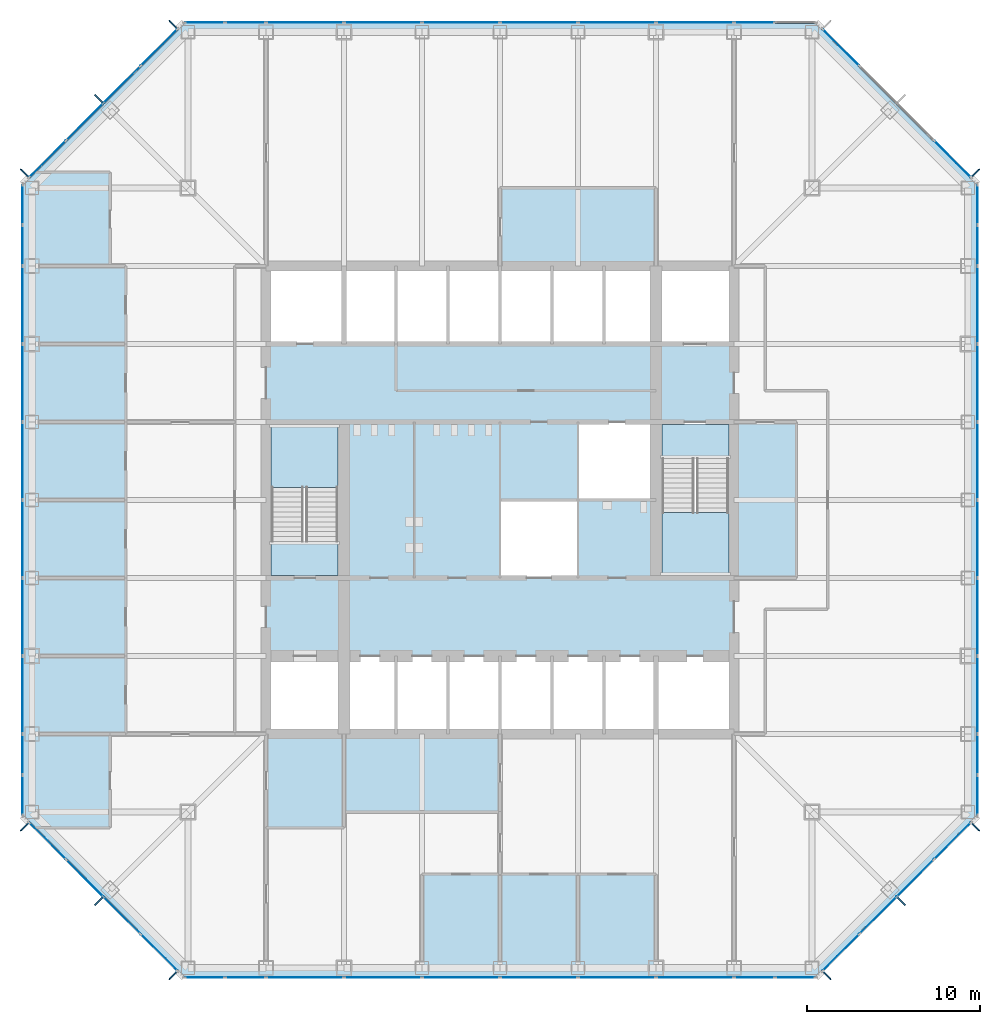
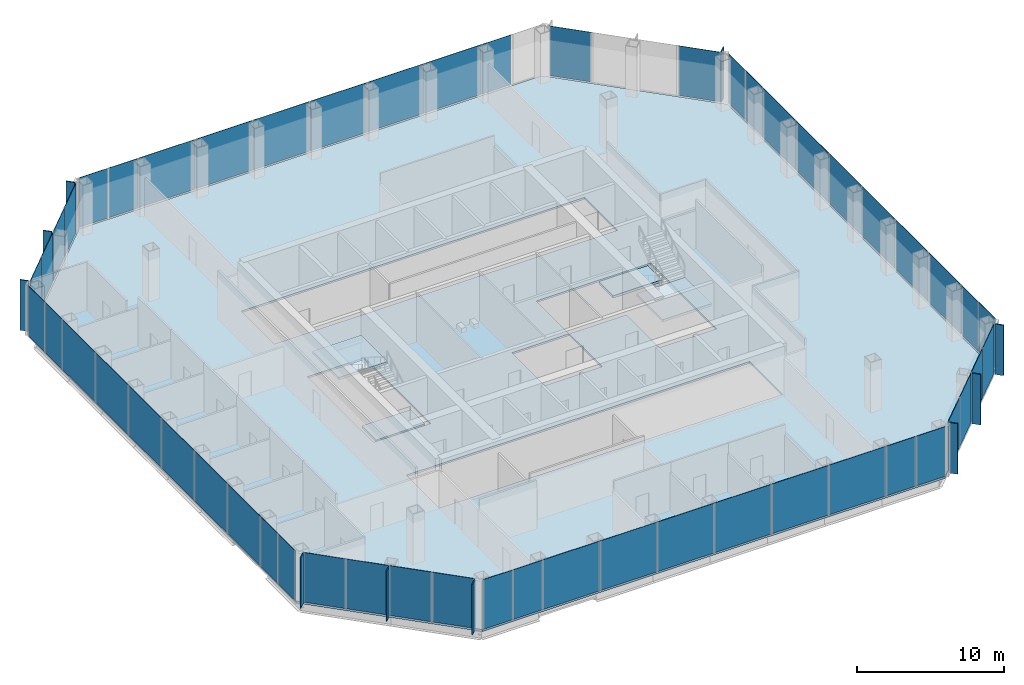
# One storey, part 7 of 12: 63 plates, 5 slabs, 10 elements without a shape of their own.
"""IFC4 building model written with IfcOpenShell, lengths in metres."""

from ifc_helpers import new_model, si_unit, direction, frame, origin, origin_2d, place, context, subcontext, project, spatial, polyline, rectangle, outline, extrude, material, layer, layer_set, type_object, element, aggregate, save


model = new_model("IFC4")

# Units and contexts
model_context = context("Model", 3, precision=1e-05, world=origin(), true_north=direction((0.0, 1.0)))
body_context = subcontext(model_context, "Body", "Model", "MODEL_VIEW")
ifc_project = project(units=[si_unit("LENGTHUNIT", "METRE"), si_unit("AREAUNIT", "SQUARE_METRE"), si_unit("VOLUMEUNIT", "CUBIC_METRE"), si_unit("PLANEANGLEUNIT", "RADIAN"), si_unit("MASSUNIT", "GRAM", prefix="KILO")], contexts=[model_context])

# Site, building, storey
site_placement = place(None, origin())
site = spatial("IfcSite", under=ifc_project, at=site_placement, CompositionType="ELEMENT")
building_placement = place(site_placement, origin())
building = spatial("IfcBuilding", under=site, at=building_placement, Name="Corais Broadcast Tower", CompositionType="ELEMENT")
storey_placement = place(building_placement, frame((0.0, 0.0, 92.0)))
storey = spatial("IfcBuildingStorey", under=building, at=storey_placement, Name="L20", CompositionType="ELEMENT", Elevation=92.0)

# Slab
ifc_material_1 = material(Name="Concrete C30/37", Category="concrete")
ifc_layer_1 = layer(ifc_material_1, 0.159912109375)
ifc_layer_set_1 = layer_set([ifc_layer_1], Name="Concrete C30/37")
slab_type_1 = type_object("IfcSlabType", Name="Composite floor slab 160", PredefinedType="FLOOR", material=ifc_layer_set_1)
slab_1_placement = place(storey_placement, frame((0.0, 0.0, -0.159912109375)))
element("IfcSlab", 1, at=slab_1_placement, inside=storey, type_object=slab_type_1, Name="S160 floor slab L20", PredefinedType="FLOOR", context=body_context, shape_type="SweptSolid", body=[
    extrude(outline(polyline([(8.80126953125, -0.47998046875), (-0.47998046875, 8.80126953125), (-0.47998046875, 45.19873046875), (8.80126953125, 54.47998046875), (45.19873046875, 54.47998046875), (54.47998046875, 45.19873046875), (54.47998046875, 8.80126953125), (45.19873046875, -0.47998046875), (8.80126953125, -0.47998046875)]), holes=[polyline([(13.5, 18.0), (40.5, 18.0), (40.5, 13.5), (13.5, 13.5), (13.5, 18.0)]), polyline([(13.5, 22.5), (13.5, 31.5), (18.0, 31.5), (18.0, 22.5), (13.5, 22.5)]), polyline([(13.5, 40.5), (40.5, 40.5), (40.5, 36.0), (13.5, 36.0), (13.5, 40.5)]), polyline([(27.0, 22.5), (27.0, 27.0), (31.4951171875, 27.0), (31.4951171875, 27.0048828125), (31.5, 27.0048828125), (31.5, 31.5), (40.5, 31.5), (40.5, 22.5), (36.0, 22.5), (36.0, 27.0), (31.5048828125, 27.0), (31.5048828125, 26.9951171875), (31.5, 26.9951171875), (31.5, 22.5), (27.0, 22.5)])]), origin(), (0.0, 0.0, 1.0), 0.159912109375),
])

# Curtain wall, plates
ifc_material_2 = material(Name="Aluminium and glass", Category="aluminium")
curtain_wall_type = type_object("IfcCurtainWallType", Name="Unitised fritted curtain wall CW1", PredefinedType="NOTDEFINED", material=ifc_material_2)
curtain_wall_1_placement = place(storey_placement, origin())
curtain_wall_1 = element("IfcCurtainWall", 2, at=curtain_wall_1_placement, inside=storey, type_object=curtain_wall_type, Name="CW1 curtain wall L20 1", PredefinedType="NOTDEFINED")
ifc_material_3 = material(Name="Ceramic-fritted laminated glass", Category="glass")
ifc_layer_2 = layer(ifc_material_3, 0.030029296875)
ifc_layer_set_2 = layer_set([ifc_layer_2], Name="Ceramic-fritted laminated glass")
plate_type_1 = type_object("IfcPlateType", Name="Fritted glass panel CW1", PredefinedType="CURTAIN_PANEL", material=ifc_layer_set_2)
plate_1_placement = place(storey_placement, frame((7.330322265625, 0.891845703125, 0.06494140625), z_axis=(0.0, 0.0, 1.0), x_axis=(-0.707106781187, 0.707106781187, 0.0)))
plate_1 = element("IfcPlate", 3, at=plate_1_placement, type_object=plate_type_1, Name="CW1 panel 1", PredefinedType="CURTAIN_PANEL", context=body_context, shape_type="SweptSolid", body=[
    extrude(rectangle(XDim=2.9482421875, YDim=0.030029296875, at=origin_2d()), origin(), (0.0, 0.0, 1.0), 4.135009765625),
])
plate_2_placement = place(storey_placement, frame((3.0341796875, 5.18798828125, 0.06494140625), z_axis=(0.0, 0.0, 1.0), x_axis=(-0.707106781187, 0.707106781187, 0.0)))
plate_2 = element("IfcPlate", 4, at=plate_2_placement, type_object=plate_type_1, Name="CW1 panel 3", PredefinedType="CURTAIN_PANEL", context=body_context, shape_type="SweptSolid", body=[
    extrude(rectangle(XDim=2.98095703125, YDim=0.030029296875, at=origin_2d()), origin(), (0.0, 0.0, 1.0), 4.135009765625),
])

curtain_wall_2_placement = place(storey_placement, origin())
curtain_wall_2 = element("IfcCurtainWall", 5, at=curtain_wall_2_placement, inside=storey, type_object=curtain_wall_type, Name="CW1 curtain wall L20 2", PredefinedType="NOTDEFINED")
plate_3_placement = place(storey_placement, frame((-0.550048828125, 9.970458984375, 0.06494140625), z_axis=(0.0, 0.0, 1.0), x_axis=(0.0, 1.0, 0.0)))
plate_3 = element("IfcPlate", 6, at=plate_3_placement, type_object=plate_type_1, Name="CW1 panel 1", PredefinedType="CURTAIN_PANEL", context=body_context, shape_type="SweptSolid", body=[
    extrude(rectangle(XDim=2.266357421875, YDim=0.030029296875, at=origin_2d()), origin(), (0.0, 0.0, 1.0), 4.135009765625),
])
plate_4_placement = place(storey_placement, frame((-0.550048828125, 15.75, 0.06494140625), z_axis=(0.0, 0.0, 1.0), x_axis=(0.0, 1.0, 0.0)))
plate_4 = element("IfcPlate", 7, at=plate_4_placement, type_object=plate_type_1, Name="CW1 panel 3", PredefinedType="CURTAIN_PANEL", context=body_context, shape_type="SweptSolid", body=[
    extrude(rectangle(XDim=4.43505859375, YDim=0.030029296875, at=origin_2d()), origin(), (0.0, 0.0, 1.0), 4.135009765625),
])
plate_5_placement = place(storey_placement, frame((-0.550048828125, 24.75, 0.06494140625), z_axis=(0.0, 0.0, 1.0), x_axis=(0.0, 1.0, 0.0)))
plate_5 = element("IfcPlate", 8, at=plate_5_placement, type_object=plate_type_1, Name="CW1 panel 5", PredefinedType="CURTAIN_PANEL", context=body_context, shape_type="SweptSolid", body=[
    extrude(rectangle(XDim=4.43505859375, YDim=0.030029296875, at=origin_2d()), origin(), (0.0, 0.0, 1.0), 4.135009765625),
])
plate_6_placement = place(storey_placement, frame((-0.550048828125, 33.75, 0.06494140625), z_axis=(0.0, 0.0, 1.0), x_axis=(0.0, 1.0, 0.0)))
plate_6 = element("IfcPlate", 9, at=plate_6_placement, type_object=plate_type_1, Name="CW1 panel 7", PredefinedType="CURTAIN_PANEL", context=body_context, shape_type="SweptSolid", body=[
    extrude(rectangle(XDim=4.43505859375, YDim=0.030029296875, at=origin_2d()), origin(), (0.0, 0.0, 1.0), 4.135009765625),
])
plate_7_placement = place(storey_placement, frame((-0.550048828125, 41.681884765625, 0.06494140625), z_axis=(0.0, 0.0, 1.0), x_axis=(0.0, 1.0, 0.0)))
plate_7 = element("IfcPlate", 10, at=plate_7_placement, type_object=plate_type_1, Name="CW1 panel 9", PredefinedType="CURTAIN_PANEL", context=body_context, shape_type="SweptSolid", body=[
    extrude(rectangle(XDim=2.298828125, YDim=0.030029296875, at=origin_2d()), origin(), (0.0, 0.0, 1.0), 4.135009765625),
])

curtain_wall_3_placement = place(storey_placement, origin())
curtain_wall_3 = element("IfcCurtainWall", 11, at=curtain_wall_3_placement, inside=storey, type_object=curtain_wall_type, Name="CW1 curtain wall L20 3", PredefinedType="NOTDEFINED")
plate_8_placement = place(storey_placement, frame((0.891845703125, 46.669677734375, 0.06494140625), z_axis=(0.0, 0.0, 1.0), x_axis=(0.707106781187, 0.707106781187, 0.0)))
plate_8 = element("IfcPlate", 12, at=plate_8_placement, type_object=plate_type_1, Name="CW1 panel 1", PredefinedType="CURTAIN_PANEL", context=body_context, shape_type="SweptSolid", body=[
    extrude(rectangle(XDim=2.9482421875, YDim=0.030029296875, at=origin_2d()), origin(), (0.0, 0.0, 1.0), 4.135009765625),
])
plate_9_placement = place(storey_placement, frame((5.18798828125, 50.9658203125, 0.06494140625), z_axis=(0.0, 0.0, 1.0), x_axis=(0.707106781187, 0.707106781187, 0.0)))
plate_9 = element("IfcPlate", 13, at=plate_9_placement, type_object=plate_type_1, Name="CW1 panel 3", PredefinedType="CURTAIN_PANEL", context=body_context, shape_type="SweptSolid", body=[
    extrude(rectangle(XDim=2.98095703125, YDim=0.030029296875, at=origin_2d()), origin(), (0.0, 0.0, 1.0), 4.135009765625),
])

curtain_wall_4_placement = place(storey_placement, origin())
curtain_wall_4 = element("IfcCurtainWall", 14, at=curtain_wall_4_placement, inside=storey, type_object=curtain_wall_type, Name="CW1 curtain wall L20 4", PredefinedType="NOTDEFINED")
plate_10_placement = place(storey_placement, frame((9.970458984375, 54.550048828125, 0.06494140625), z_axis=(0.0, 0.0, 1.0), x_axis=(1.0, 0.0, 0.0)))
plate_10 = element("IfcPlate", 15, at=plate_10_placement, type_object=plate_type_1, Name="CW1 panel 1", PredefinedType="CURTAIN_PANEL", context=body_context, shape_type="SweptSolid", body=[
    extrude(rectangle(XDim=2.266357421875, YDim=0.030029296875, at=origin_2d()), origin(), (0.0, 0.0, 1.0), 4.135009765625),
])
plate_11_placement = place(storey_placement, frame((15.75, 54.550048828125, 0.06494140625), z_axis=(0.0, 0.0, 1.0), x_axis=(1.0, 0.0, 0.0)))
plate_11 = element("IfcPlate", 16, at=plate_11_placement, type_object=plate_type_1, Name="CW1 panel 3", PredefinedType="CURTAIN_PANEL", context=body_context, shape_type="SweptSolid", body=[
    extrude(rectangle(XDim=4.43505859375, YDim=0.030029296875, at=origin_2d()), origin(), (0.0, 0.0, 1.0), 4.135009765625),
])
plate_12_placement = place(storey_placement, frame((24.75, 54.550048828125, 0.06494140625), z_axis=(0.0, 0.0, 1.0), x_axis=(1.0, 0.0, 0.0)))
plate_12 = element("IfcPlate", 17, at=plate_12_placement, type_object=plate_type_1, Name="CW1 panel 5", PredefinedType="CURTAIN_PANEL", context=body_context, shape_type="SweptSolid", body=[
    extrude(rectangle(XDim=4.43505859375, YDim=0.030029296875, at=origin_2d()), origin(), (0.0, 0.0, 1.0), 4.135009765625),
])
plate_13_placement = place(storey_placement, frame((33.75, 54.550048828125, 0.06494140625), z_axis=(0.0, 0.0, 1.0), x_axis=(1.0, 0.0, 0.0)))
plate_13 = element("IfcPlate", 18, at=plate_13_placement, type_object=plate_type_1, Name="CW1 panel 7", PredefinedType="CURTAIN_PANEL", context=body_context, shape_type="SweptSolid", body=[
    extrude(rectangle(XDim=4.43505859375, YDim=0.030029296875, at=origin_2d()), origin(), (0.0, 0.0, 1.0), 4.135009765625),
])
plate_14_placement = place(storey_placement, frame((41.681884765625, 54.550048828125, 0.06494140625), z_axis=(0.0, 0.0, 1.0), x_axis=(1.0, 0.0, 0.0)))
plate_14 = element("IfcPlate", 19, at=plate_14_placement, type_object=plate_type_1, Name="CW1 panel 9", PredefinedType="CURTAIN_PANEL", context=body_context, shape_type="SweptSolid", body=[
    extrude(rectangle(XDim=2.298828125, YDim=0.030029296875, at=origin_2d()), origin(), (0.0, 0.0, 1.0), 4.135009765625),
])

# Curtain wall, plate
curtain_wall_5_placement = place(storey_placement, origin())
curtain_wall_5 = element("IfcCurtainWall", 20, at=curtain_wall_5_placement, inside=storey, type_object=curtain_wall_type, Name="CW1 curtain wall L20 5", PredefinedType="NOTDEFINED")
plate_15_placement = place(storey_placement, frame((46.669677734375, 53.108154296875, 0.06494140625), z_axis=(0.0, 0.0, 1.0), x_axis=(0.707106781187, -0.707106781187, 0.0)))
plate_15 = element("IfcPlate", 21, at=plate_15_placement, type_object=plate_type_1, Name="CW1 panel 1", PredefinedType="CURTAIN_PANEL", context=body_context, shape_type="SweptSolid", body=[
    extrude(rectangle(XDim=2.9482421875, YDim=0.030029296875, at=origin_2d()), origin(), (0.0, 0.0, 1.0), 4.135009765625),
])

# Curtain wall, plates
curtain_wall_6_placement = place(storey_placement, origin())
curtain_wall_6 = element("IfcCurtainWall", 22, at=curtain_wall_6_placement, inside=storey, type_object=curtain_wall_type, Name="CW1 curtain wall L20 6", PredefinedType="NOTDEFINED")
plate_16_placement = place(storey_placement, frame((54.550048828125, 44.029541015625, 0.06494140625), z_axis=(0.0, 0.0, 1.0), x_axis=(0.0, -1.0, 0.0)))
plate_16 = element("IfcPlate", 23, at=plate_16_placement, type_object=plate_type_1, Name="CW1 panel 1", PredefinedType="CURTAIN_PANEL", context=body_context, shape_type="SweptSolid", body=[
    extrude(rectangle(XDim=2.266357421875, YDim=0.030029296875, at=origin_2d()), origin(), (0.0, 0.0, 1.0), 4.135009765625),
])
plate_17_placement = place(storey_placement, frame((54.550048828125, 38.25, 0.06494140625), z_axis=(0.0, 0.0, 1.0), x_axis=(0.0, -1.0, 0.0)))
plate_17 = element("IfcPlate", 24, at=plate_17_placement, type_object=plate_type_1, Name="CW1 panel 3", PredefinedType="CURTAIN_PANEL", context=body_context, shape_type="SweptSolid", body=[
    extrude(rectangle(XDim=4.43505859375, YDim=0.030029296875, at=origin_2d()), origin(), (0.0, 0.0, 1.0), 4.135009765625),
])
plate_18_placement = place(storey_placement, frame((54.550048828125, 29.25, 0.06494140625), z_axis=(0.0, 0.0, 1.0), x_axis=(0.0, -1.0, 0.0)))
plate_18 = element("IfcPlate", 25, at=plate_18_placement, type_object=plate_type_1, Name="CW1 panel 5", PredefinedType="CURTAIN_PANEL", context=body_context, shape_type="SweptSolid", body=[
    extrude(rectangle(XDim=4.43505859375, YDim=0.030029296875, at=origin_2d()), origin(), (0.0, 0.0, 1.0), 4.135009765625),
])
plate_19_placement = place(storey_placement, frame((54.550048828125, 20.25, 0.06494140625), z_axis=(0.0, 0.0, 1.0), x_axis=(0.0, -1.0, 0.0)))
plate_19 = element("IfcPlate", 26, at=plate_19_placement, type_object=plate_type_1, Name="CW1 panel 7", PredefinedType="CURTAIN_PANEL", context=body_context, shape_type="SweptSolid", body=[
    extrude(rectangle(XDim=4.43505859375, YDim=0.030029296875, at=origin_2d()), origin(), (0.0, 0.0, 1.0), 4.135009765625),
])
plate_20_placement = place(storey_placement, frame((54.550048828125, 12.318115234375, 0.06494140625), z_axis=(0.0, 0.0, 1.0), x_axis=(0.0, -1.0, 0.0)))
plate_20 = element("IfcPlate", 27, at=plate_20_placement, type_object=plate_type_1, Name="CW1 panel 9", PredefinedType="CURTAIN_PANEL", context=body_context, shape_type="SweptSolid", body=[
    extrude(rectangle(XDim=2.298828125, YDim=0.030029296875, at=origin_2d()), origin(), (0.0, 0.0, 1.0), 4.135009765625),
])

curtain_wall_7_placement = place(storey_placement, origin())
curtain_wall_7 = element("IfcCurtainWall", 28, at=curtain_wall_7_placement, inside=storey, type_object=curtain_wall_type, Name="CW1 curtain wall L20 7", PredefinedType="NOTDEFINED")
plate_21_placement = place(storey_placement, frame((53.108154296875, 7.330322265625, 0.06494140625), z_axis=(0.0, 0.0, 1.0), x_axis=(-0.707106781187, -0.707106781187, 0.0)))
plate_21 = element("IfcPlate", 29, at=plate_21_placement, type_object=plate_type_1, Name="CW1 panel 1", PredefinedType="CURTAIN_PANEL", context=body_context, shape_type="SweptSolid", body=[
    extrude(rectangle(XDim=2.9482421875, YDim=0.030029296875, at=origin_2d()), origin(), (0.0, 0.0, 1.0), 4.135009765625),
])
plate_22_placement = place(storey_placement, frame((48.81201171875, 3.0341796875, 0.06494140625), z_axis=(0.0, 0.0, 1.0), x_axis=(-0.707106781187, -0.707106781187, 0.0)))
plate_22 = element("IfcPlate", 30, at=plate_22_placement, type_object=plate_type_1, Name="CW1 panel 3", PredefinedType="CURTAIN_PANEL", context=body_context, shape_type="SweptSolid", body=[
    extrude(rectangle(XDim=2.98095703125, YDim=0.030029296875, at=origin_2d()), origin(), (0.0, 0.0, 1.0), 4.135009765625),
])

curtain_wall_8_placement = place(storey_placement, origin())
curtain_wall_8 = element("IfcCurtainWall", 31, at=curtain_wall_8_placement, inside=storey, type_object=curtain_wall_type, Name="CW1 curtain wall L20 8", PredefinedType="NOTDEFINED")
plate_23_placement = place(storey_placement, frame((44.029541015625, -0.550048828125, 0.06494140625), z_axis=(0.0, 0.0, 1.0), x_axis=(-1.0, 0.0, 0.0)))
plate_23 = element("IfcPlate", 32, at=plate_23_placement, type_object=plate_type_1, Name="CW1 panel 1", PredefinedType="CURTAIN_PANEL", context=body_context, shape_type="SweptSolid", body=[
    extrude(rectangle(XDim=2.266357421875, YDim=0.030029296875, at=origin_2d()), origin(), (0.0, 0.0, 1.0), 4.135009765625),
])
plate_24_placement = place(storey_placement, frame((38.25, -0.550048828125, 0.06494140625), z_axis=(0.0, 0.0, 1.0), x_axis=(-1.0, 0.0, 0.0)))
plate_24 = element("IfcPlate", 33, at=plate_24_placement, type_object=plate_type_1, Name="CW1 panel 3", PredefinedType="CURTAIN_PANEL", context=body_context, shape_type="SweptSolid", body=[
    extrude(rectangle(XDim=4.43505859375, YDim=0.030029296875, at=origin_2d()), origin(), (0.0, 0.0, 1.0), 4.135009765625),
])
plate_25_placement = place(storey_placement, frame((29.25, -0.550048828125, 0.06494140625), z_axis=(0.0, 0.0, 1.0), x_axis=(-1.0, 0.0, 0.0)))
plate_25 = element("IfcPlate", 34, at=plate_25_placement, type_object=plate_type_1, Name="CW1 panel 5", PredefinedType="CURTAIN_PANEL", context=body_context, shape_type="SweptSolid", body=[
    extrude(rectangle(XDim=4.43505859375, YDim=0.030029296875, at=origin_2d()), origin(), (0.0, 0.0, 1.0), 4.135009765625),
])
plate_26_placement = place(storey_placement, frame((20.25, -0.550048828125, 0.06494140625), z_axis=(0.0, 0.0, 1.0), x_axis=(-1.0, 0.0, 0.0)))
plate_26 = element("IfcPlate", 35, at=plate_26_placement, type_object=plate_type_1, Name="CW1 panel 7", PredefinedType="CURTAIN_PANEL", context=body_context, shape_type="SweptSolid", body=[
    extrude(rectangle(XDim=4.43505859375, YDim=0.030029296875, at=origin_2d()), origin(), (0.0, 0.0, 1.0), 4.135009765625),
])
plate_27_placement = place(storey_placement, frame((12.318115234375, -0.550048828125, 0.06494140625), z_axis=(0.0, 0.0, 1.0), x_axis=(-1.0, 0.0, 0.0)))
plate_27 = element("IfcPlate", 36, at=plate_27_placement, type_object=plate_type_1, Name="CW1 panel 9", PredefinedType="CURTAIN_PANEL", context=body_context, shape_type="SweptSolid", body=[
    extrude(rectangle(XDim=2.298828125, YDim=0.030029296875, at=origin_2d()), origin(), (0.0, 0.0, 1.0), 4.135009765625),
])

# Plate
ifc_material_4 = material(Name="Clear laminated glass", Category="glass")
ifc_layer_3 = layer(ifc_material_4, 0.033935546875)
ifc_layer_set_3 = layer_set([ifc_layer_3], Name="Clear laminated glass")
plate_type_2 = type_object("IfcPlateType", Name="Operable glass panel CW1", PredefinedType="CURTAIN_PANEL", material=ifc_layer_set_3)
plate_28_placement = place(storey_placement, frame((5.18798828125, 3.0341796875, 0.06494140625), z_axis=(0.0, 0.0, 1.0), x_axis=(-0.707106781187, 0.707106781187, 0.0)))
plate_28 = element("IfcPlate", 37, at=plate_28_placement, type_object=plate_type_2, Name="CW1 operable panel 2", PredefinedType="CURTAIN_PANEL", context=body_context, shape_type="SweptSolid", body=[
    extrude(rectangle(XDim=2.98095703125, YDim=0.033935546875, at=origin_2d()), origin(), (0.0, 0.0, 1.0), 4.135009765625),
])

plate_29_placement = place(storey_placement, frame((0.89208984375, 7.330322265625, 0.06494140625), z_axis=(0.0, 0.0, 1.0), x_axis=(-0.707106781187, 0.707106781187, 0.0)))
plate_29 = element("IfcPlate", 38, at=plate_29_placement, type_object=plate_type_2, Name="CW1 operable panel 4", PredefinedType="CURTAIN_PANEL", context=body_context, shape_type="SweptSolid", body=[
    extrude(rectangle(XDim=2.948486328125, YDim=0.033935546875, at=origin_2d()), origin(), (0.0, 0.0, 1.0), 4.135009765625),
])

aggregate(curtain_wall_1, [plate_1, plate_28, plate_2, plate_29])

plate_30_placement = place(storey_placement, frame((-0.550048828125, 12.318115234375, 0.06494140625), z_axis=(0.0, 0.0, 1.0), x_axis=(0.0, 1.0, 0.0)))
plate_30 = element("IfcPlate", 39, at=plate_30_placement, type_object=plate_type_2, Name="CW1 operable panel 2", PredefinedType="CURTAIN_PANEL", context=body_context, shape_type="SweptSolid", body=[
    extrude(rectangle(XDim=2.298828125, YDim=0.033935546875, at=origin_2d()), origin(), (0.0, 0.0, 1.0), 4.135009765625),
])

plate_31_placement = place(storey_placement, frame((-0.550048828125, 20.25, 0.06494140625), z_axis=(0.0, 0.0, 1.0), x_axis=(0.0, 1.0, 0.0)))
plate_31 = element("IfcPlate", 40, at=plate_31_placement, type_object=plate_type_2, Name="CW1 operable panel 4", PredefinedType="CURTAIN_PANEL", context=body_context, shape_type="SweptSolid", body=[
    extrude(rectangle(XDim=4.43505859375, YDim=0.033935546875, at=origin_2d()), origin(), (0.0, 0.0, 1.0), 4.135009765625),
])

plate_32_placement = place(storey_placement, frame((-0.550048828125, 29.25, 0.06494140625), z_axis=(0.0, 0.0, 1.0), x_axis=(0.0, 1.0, 0.0)))
plate_32 = element("IfcPlate", 41, at=plate_32_placement, type_object=plate_type_2, Name="CW1 operable panel 6", PredefinedType="CURTAIN_PANEL", context=body_context, shape_type="SweptSolid", body=[
    extrude(rectangle(XDim=4.43505859375, YDim=0.033935546875, at=origin_2d()), origin(), (0.0, 0.0, 1.0), 4.135009765625),
])

plate_33_placement = place(storey_placement, frame((-0.550048828125, 38.25, 0.06494140625), z_axis=(0.0, 0.0, 1.0), x_axis=(0.0, 1.0, 0.0)))
plate_33 = element("IfcPlate", 42, at=plate_33_placement, type_object=plate_type_2, Name="CW1 operable panel 8", PredefinedType="CURTAIN_PANEL", context=body_context, shape_type="SweptSolid", body=[
    extrude(rectangle(XDim=4.43505859375, YDim=0.033935546875, at=origin_2d()), origin(), (0.0, 0.0, 1.0), 4.135009765625),
])

plate_34_placement = place(storey_placement, frame((-0.550048828125, 44.029541015625, 0.06494140625), z_axis=(0.0, 0.0, 1.0), x_axis=(0.0, 1.0, 0.0)))
plate_34 = element("IfcPlate", 43, at=plate_34_placement, type_object=plate_type_2, Name="CW1 operable panel 10", PredefinedType="CURTAIN_PANEL", context=body_context, shape_type="SweptSolid", body=[
    extrude(rectangle(XDim=2.266357421875, YDim=0.033935546875, at=origin_2d()), origin(), (0.0, 0.0, 1.0), 4.135009765625),
])

aggregate(curtain_wall_2, [plate_3, plate_30, plate_4, plate_31, plate_5, plate_32, plate_6, plate_33, plate_7, plate_34])

plate_35_placement = place(storey_placement, frame((3.0341796875, 48.81201171875, 0.06494140625), z_axis=(0.0, 0.0, 1.0), x_axis=(0.707106781187, 0.707106781187, 0.0)))
plate_35 = element("IfcPlate", 44, at=plate_35_placement, type_object=plate_type_2, Name="CW1 operable panel 2", PredefinedType="CURTAIN_PANEL", context=body_context, shape_type="SweptSolid", body=[
    extrude(rectangle(XDim=2.98095703125, YDim=0.033935546875, at=origin_2d()), origin(), (0.0, 0.0, 1.0), 4.135009765625),
])

plate_36_placement = place(storey_placement, frame((7.330322265625, 53.10791015625, 0.06494140625), z_axis=(0.0, 0.0, 1.0), x_axis=(0.707106781187, 0.707106781187, 0.0)))
plate_36 = element("IfcPlate", 45, at=plate_36_placement, type_object=plate_type_2, Name="CW1 operable panel 4", PredefinedType="CURTAIN_PANEL", context=body_context, shape_type="SweptSolid", body=[
    extrude(rectangle(XDim=2.948486328125, YDim=0.033935546875, at=origin_2d()), origin(), (0.0, 0.0, 1.0), 4.135009765625),
])

aggregate(curtain_wall_3, [plate_8, plate_35, plate_9, plate_36])

plate_37_placement = place(storey_placement, frame((12.318115234375, 54.550048828125, 0.06494140625), z_axis=(0.0, 0.0, 1.0), x_axis=(1.0, 0.0, 0.0)))
plate_37 = element("IfcPlate", 46, at=plate_37_placement, type_object=plate_type_2, Name="CW1 operable panel 2", PredefinedType="CURTAIN_PANEL", context=body_context, shape_type="SweptSolid", body=[
    extrude(rectangle(XDim=2.298828125, YDim=0.033935546875, at=origin_2d()), origin(), (0.0, 0.0, 1.0), 4.135009765625),
])

plate_38_placement = place(storey_placement, frame((20.25, 54.550048828125, 0.06494140625), z_axis=(0.0, 0.0, 1.0), x_axis=(1.0, 0.0, 0.0)))
plate_38 = element("IfcPlate", 47, at=plate_38_placement, type_object=plate_type_2, Name="CW1 operable panel 4", PredefinedType="CURTAIN_PANEL", context=body_context, shape_type="SweptSolid", body=[
    extrude(rectangle(XDim=4.43505859375, YDim=0.033935546875, at=origin_2d()), origin(), (0.0, 0.0, 1.0), 4.135009765625),
])

plate_39_placement = place(storey_placement, frame((29.25, 54.550048828125, 0.06494140625), z_axis=(0.0, 0.0, 1.0), x_axis=(1.0, 0.0, 0.0)))
plate_39 = element("IfcPlate", 48, at=plate_39_placement, type_object=plate_type_2, Name="CW1 operable panel 6", PredefinedType="CURTAIN_PANEL", context=body_context, shape_type="SweptSolid", body=[
    extrude(rectangle(XDim=4.43505859375, YDim=0.033935546875, at=origin_2d()), origin(), (0.0, 0.0, 1.0), 4.135009765625),
])

plate_40_placement = place(storey_placement, frame((38.25, 54.550048828125, 0.06494140625), z_axis=(0.0, 0.0, 1.0), x_axis=(1.0, 0.0, 0.0)))
plate_40 = element("IfcPlate", 49, at=plate_40_placement, type_object=plate_type_2, Name="CW1 operable panel 8", PredefinedType="CURTAIN_PANEL", context=body_context, shape_type="SweptSolid", body=[
    extrude(rectangle(XDim=4.43505859375, YDim=0.033935546875, at=origin_2d()), origin(), (0.0, 0.0, 1.0), 4.135009765625),
])

aggregate(curtain_wall_4, [plate_10, plate_37, plate_11, plate_38, plate_12, plate_39, plate_13, plate_40, plate_14])

plate_41_placement = place(storey_placement, frame((53.10791015625, 46.669677734375, 0.06494140625), z_axis=(0.0, 0.0, 1.0), x_axis=(0.707106781187, -0.707106781187, 0.0)))
plate_41 = element("IfcPlate", 50, at=plate_41_placement, type_object=plate_type_2, Name="CW1 operable panel 4", PredefinedType="CURTAIN_PANEL", context=body_context, shape_type="SweptSolid", body=[
    extrude(rectangle(XDim=2.948486328125, YDim=0.033935546875, at=origin_2d()), origin(), (0.0, 0.0, 1.0), 4.135009765625),
])

aggregate(curtain_wall_5, [plate_15, plate_41])

plate_42_placement = place(storey_placement, frame((54.550048828125, 41.681884765625, 0.06494140625), z_axis=(0.0, 0.0, 1.0), x_axis=(0.0, -1.0, 0.0)))
plate_42 = element("IfcPlate", 51, at=plate_42_placement, type_object=plate_type_2, Name="CW1 operable panel 2", PredefinedType="CURTAIN_PANEL", context=body_context, shape_type="SweptSolid", body=[
    extrude(rectangle(XDim=2.298828125, YDim=0.033935546875, at=origin_2d()), origin(), (0.0, 0.0, 1.0), 4.135009765625),
])

plate_43_placement = place(storey_placement, frame((54.550048828125, 33.75, 0.06494140625), z_axis=(0.0, 0.0, 1.0), x_axis=(0.0, -1.0, 0.0)))
plate_43 = element("IfcPlate", 52, at=plate_43_placement, type_object=plate_type_2, Name="CW1 operable panel 4", PredefinedType="CURTAIN_PANEL", context=body_context, shape_type="SweptSolid", body=[
    extrude(rectangle(XDim=4.43505859375, YDim=0.033935546875, at=origin_2d()), origin(), (0.0, 0.0, 1.0), 4.135009765625),
])

plate_44_placement = place(storey_placement, frame((54.550048828125, 24.75, 0.06494140625), z_axis=(0.0, 0.0, 1.0), x_axis=(0.0, -1.0, 0.0)))
plate_44 = element("IfcPlate", 53, at=plate_44_placement, type_object=plate_type_2, Name="CW1 operable panel 6", PredefinedType="CURTAIN_PANEL", context=body_context, shape_type="SweptSolid", body=[
    extrude(rectangle(XDim=4.43505859375, YDim=0.033935546875, at=origin_2d()), origin(), (0.0, 0.0, 1.0), 4.135009765625),
])

plate_45_placement = place(storey_placement, frame((54.550048828125, 15.75, 0.06494140625), z_axis=(0.0, 0.0, 1.0), x_axis=(0.0, -1.0, 0.0)))
plate_45 = element("IfcPlate", 54, at=plate_45_placement, type_object=plate_type_2, Name="CW1 operable panel 8", PredefinedType="CURTAIN_PANEL", context=body_context, shape_type="SweptSolid", body=[
    extrude(rectangle(XDim=4.43505859375, YDim=0.033935546875, at=origin_2d()), origin(), (0.0, 0.0, 1.0), 4.135009765625),
])

plate_46_placement = place(storey_placement, frame((54.550048828125, 9.970458984375, 0.06494140625), z_axis=(0.0, 0.0, 1.0), x_axis=(0.0, -1.0, 0.0)))
plate_46 = element("IfcPlate", 55, at=plate_46_placement, type_object=plate_type_2, Name="CW1 operable panel 10", PredefinedType="CURTAIN_PANEL", context=body_context, shape_type="SweptSolid", body=[
    extrude(rectangle(XDim=2.266357421875, YDim=0.033935546875, at=origin_2d()), origin(), (0.0, 0.0, 1.0), 4.135009765625),
])

aggregate(curtain_wall_6, [plate_16, plate_42, plate_17, plate_43, plate_18, plate_44, plate_19, plate_45, plate_20, plate_46])

plate_47_placement = place(storey_placement, frame((50.9658203125, 5.18798828125, 0.06494140625), z_axis=(0.0, 0.0, 1.0), x_axis=(-0.707106781187, -0.707106781187, 0.0)))
plate_47 = element("IfcPlate", 56, at=plate_47_placement, type_object=plate_type_2, Name="CW1 operable panel 2", PredefinedType="CURTAIN_PANEL", context=body_context, shape_type="SweptSolid", body=[
    extrude(rectangle(XDim=2.98095703125, YDim=0.033935546875, at=origin_2d()), origin(), (0.0, 0.0, 1.0), 4.135009765625),
])

plate_48_placement = place(storey_placement, frame((46.669677734375, 0.89208984375, 0.06494140625), z_axis=(0.0, 0.0, 1.0), x_axis=(-0.707106781187, -0.707106781187, 0.0)))
plate_48 = element("IfcPlate", 57, at=plate_48_placement, type_object=plate_type_2, Name="CW1 operable panel 4", PredefinedType="CURTAIN_PANEL", context=body_context, shape_type="SweptSolid", body=[
    extrude(rectangle(XDim=2.948486328125, YDim=0.033935546875, at=origin_2d()), origin(), (0.0, 0.0, 1.0), 4.135009765625),
])

aggregate(curtain_wall_7, [plate_21, plate_47, plate_22, plate_48])

plate_49_placement = place(storey_placement, frame((41.681884765625, -0.550048828125, 0.06494140625), z_axis=(0.0, 0.0, 1.0), x_axis=(-1.0, 0.0, 0.0)))
plate_49 = element("IfcPlate", 58, at=plate_49_placement, type_object=plate_type_2, Name="CW1 operable panel 2", PredefinedType="CURTAIN_PANEL", context=body_context, shape_type="SweptSolid", body=[
    extrude(rectangle(XDim=2.298828125, YDim=0.033935546875, at=origin_2d()), origin(), (0.0, 0.0, 1.0), 4.135009765625),
])

plate_50_placement = place(storey_placement, frame((33.75, -0.550048828125, 0.06494140625), z_axis=(0.0, 0.0, 1.0), x_axis=(-1.0, 0.0, 0.0)))
plate_50 = element("IfcPlate", 59, at=plate_50_placement, type_object=plate_type_2, Name="CW1 operable panel 4", PredefinedType="CURTAIN_PANEL", context=body_context, shape_type="SweptSolid", body=[
    extrude(rectangle(XDim=4.43505859375, YDim=0.033935546875, at=origin_2d()), origin(), (0.0, 0.0, 1.0), 4.135009765625),
])

plate_51_placement = place(storey_placement, frame((24.75, -0.550048828125, 0.06494140625), z_axis=(0.0, 0.0, 1.0), x_axis=(-1.0, 0.0, 0.0)))
plate_51 = element("IfcPlate", 60, at=plate_51_placement, type_object=plate_type_2, Name="CW1 operable panel 6", PredefinedType="CURTAIN_PANEL", context=body_context, shape_type="SweptSolid", body=[
    extrude(rectangle(XDim=4.43505859375, YDim=0.033935546875, at=origin_2d()), origin(), (0.0, 0.0, 1.0), 4.135009765625),
])

plate_52_placement = place(storey_placement, frame((15.75, -0.550048828125, 0.06494140625), z_axis=(0.0, 0.0, 1.0), x_axis=(-1.0, 0.0, 0.0)))
plate_52 = element("IfcPlate", 61, at=plate_52_placement, type_object=plate_type_2, Name="CW1 operable panel 8", PredefinedType="CURTAIN_PANEL", context=body_context, shape_type="SweptSolid", body=[
    extrude(rectangle(XDim=4.43505859375, YDim=0.033935546875, at=origin_2d()), origin(), (0.0, 0.0, 1.0), 4.135009765625),
])

plate_53_placement = place(storey_placement, frame((9.970458984375, -0.550048828125, 0.06494140625), z_axis=(0.0, 0.0, 1.0), x_axis=(-1.0, 0.0, 0.0)))
plate_53 = element("IfcPlate", 62, at=plate_53_placement, type_object=plate_type_2, Name="CW1 operable panel 10", PredefinedType="CURTAIN_PANEL", context=body_context, shape_type="SweptSolid", body=[
    extrude(rectangle(XDim=2.266357421875, YDim=0.033935546875, at=origin_2d()), origin(), (0.0, 0.0, 1.0), 4.135009765625),
])

aggregate(curtain_wall_8, [plate_23, plate_49, plate_24, plate_50, plate_25, plate_51, plate_26, plate_52, plate_27, plate_53])

# Stair, slabs
ifc_material_5 = material(Name="Concrete C30/37", Category="concrete")
stair_type = type_object("IfcStairType", Name="Half-turn stair 4200", PredefinedType="HALF_TURN_STAIR", material=ifc_material_5)
stair_1_placement = place(storey_placement, origin())
stair_1 = element("IfcStair", 63, at=stair_1_placement, inside=storey, type_object=stair_type, Name="Stair A L20", PredefinedType="HALF_TURN_STAIR")
ifc_material_6 = material(Name="Concrete C30/37", Category="concrete")
ifc_layer_4 = layer(ifc_material_6, 0.199951171875)
ifc_layer_set_4 = layer_set([ifc_layer_4], Name="Concrete C30/37")
slab_type_2 = type_object("IfcSlabType", Name="Stair landing 200", PredefinedType="LANDING", material=ifc_layer_set_4)
slab_2_placement = place(storey_placement, frame((0.0, 0.0, -0.199951171875)))
slab_2 = element("IfcSlab", 64, at=slab_2_placement, type_object=slab_type_2, Name="STA landing 1", PredefinedType="LANDING", context=body_context, shape_type="SweptSolid", body=[
    extrude(outline(polyline([(13.800048828125, 22.64990234375), (17.64990234375, 22.64990234375), (17.64990234375, 24.60009765625), (13.800048828125, 24.60009765625), (13.800048828125, 22.64990234375)])), origin(), (0.0, 0.0, 1.0), 0.199951171875),
])
slab_3_placement = place(storey_placement, frame((0.0, 0.0, 1.89990234375)))
slab_3 = element("IfcSlab", 65, at=slab_3_placement, type_object=slab_type_2, Name="STA landing 2", PredefinedType="LANDING", context=body_context, shape_type="SweptSolid", body=[
    extrude(outline(polyline([(13.800048828125, 27.735107421875), (17.64990234375, 27.735107421875), (17.64990234375, 31.35009765625), (13.800048828125, 31.35009765625), (13.800048828125, 27.735107421875)])), origin(), (0.0, 0.0, 1.0), 0.2001953125),
])
aggregate(stair_1, [slab_2, slab_3])

stair_2_placement = place(storey_placement, origin())
stair_2 = element("IfcStair", 66, at=stair_2_placement, inside=storey, type_object=stair_type, Name="Stair B L20", PredefinedType="HALF_TURN_STAIR")
slab_4_placement = place(storey_placement, frame((0.0, 0.0, -0.199951171875)))
slab_4 = element("IfcSlab", 67, at=slab_4_placement, type_object=slab_type_2, Name="STB landing 1", PredefinedType="LANDING", context=body_context, shape_type="SweptSolid", body=[
    extrude(outline(polyline([(36.35009765625, 29.39990234375), (40.199951171875, 29.39990234375), (40.199951171875, 31.35009765625), (36.35009765625, 31.35009765625), (36.35009765625, 29.39990234375)])), origin(), (0.0, 0.0, 1.0), 0.199951171875),
])
slab_5_placement = place(storey_placement, frame((0.0, 0.0, 1.89990234375)))
slab_5 = element("IfcSlab", 68, at=slab_5_placement, type_object=slab_type_2, Name="STB landing 2", PredefinedType="LANDING", context=body_context, shape_type="SweptSolid", body=[
    extrude(outline(polyline([(36.35009765625, 22.64990234375), (40.199951171875, 22.64990234375), (40.199951171875, 26.264892578125), (36.35009765625, 26.264892578125), (36.35009765625, 22.64990234375)])), origin(), (0.0, 0.0, 1.0), 0.2001953125),
])
aggregate(stair_2, [slab_4, slab_5])

# Plates
ifc_material_7 = material(Name="Granite stone cladding", Category="masonry")
ifc_layer_5 = layer(ifc_material_7, 0.080078125)
ifc_layer_set_5 = layer_set([ifc_layer_5], Name="Granite stone cladding")
plate_type_3 = type_object("IfcPlateType", Name="Stone screen fin 80x600", PredefinedType="USERDEFINED", material=ifc_layer_set_5)
for number, where, z_axis, x_axis, name in (
    (69, (8.114990234375, -0.4541015625, 0.0), (0.0, 0.0, 1.0), (-0.707106781187, 0.707106781187, 0.0), "SF1 stone screen fin L20"),
    (70, (3.830322265625, 3.830322265625, 0.0), (0.0, 0.0, 1.0), (-0.707106781187, 0.707106781187, 0.0), "SF1 stone screen fin L20"),
    (71, (-0.4541015625, 8.114990234375, 0.0), (0.0, 0.0, 1.0), (-0.707106781187, 0.707106781187, 0.0), "SF1 stone screen fin L20"),
    (72, (-0.4541015625, 45.885009765625, 0.0), (0.0, 0.0, 1.0), (0.707106781187, 0.707106781187, 0.0), "SF1 stone screen fin L20"),
    (73, (3.830322265625, 50.169677734375, 0.0), (0.0, 0.0, 1.0), (0.707106781187, 0.707106781187, 0.0), "SF1 stone screen fin L20"),
    (74, (8.114990234375, 54.4541015625, 0.0), (0.0, 0.0, 1.0), (0.707106781187, 0.707106781187, 0.0), "SF1 stone screen fin L20"),
    (75, (54.4541015625, 45.885009765625, 0.0), (0.0, 0.0, 1.0), (0.707106781187, -0.707106781187, 0.0), "SF1 stone screen fin L20"),
    (76, (54.4541015625, 8.114990234375, 0.0), (0.0, 0.0, 1.0), (-0.707106781187, -0.707106781187, 0.0), "SF1 stone screen fin L20"),
    (77, (50.169677734375, 3.830322265625, 0.0), (0.0, 0.0, 1.0), (-0.707106781187, -0.707106781187, 0.0), "SF1 stone screen fin L20"),
    (78, (45.885009765625, -0.4541015625, 0.0), (0.0, 0.0, 1.0), (-0.707106781187, -0.707106781187, 0.0), "SF1 stone screen fin L20"),
):
    element("IfcPlate", number, at=place(storey_placement, frame(where, z_axis=z_axis, x_axis=x_axis)), inside=storey, type_object=plate_type_3, Name=name, ObjectType="STONE SCREEN FIN", PredefinedType="USERDEFINED", context=body_context, shape_type="SweptSolid", body=[
        extrude(rectangle(XDim=0.080078125, YDim=0.60009765625, at=origin_2d()), origin(), (0.0, 0.0, 1.0), 4.199951171875),
    ])

save(model, "model.ifc")
